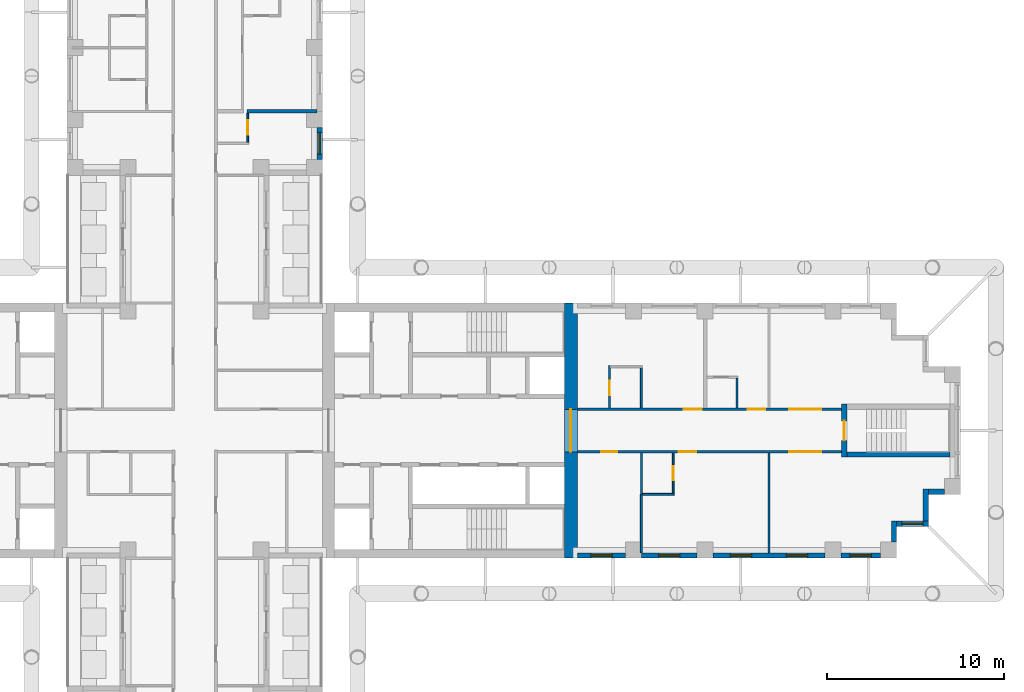
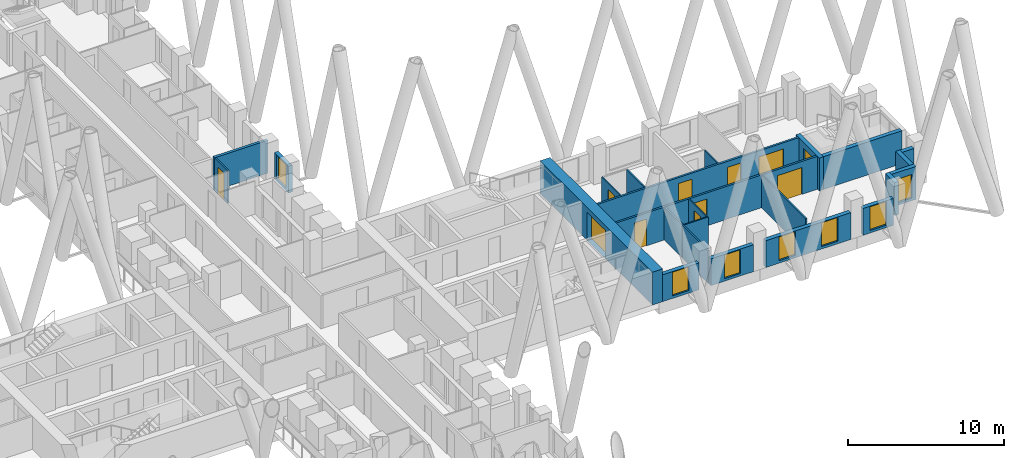
# One storey, part 10 of 17: 24 walls, 11 doors, 7 windows, 18 openings.
"""IFC4 building model written with IfcOpenShell, lengths in metres."""

from ifc_helpers import new_model, si_unit, direction, frame, frame_2d, origin, place, context, subcontext, project, spatial, rectangle, extrude, material, layer, layer_set, type_object, element, fill, save


model = new_model("IFC4")

# Units and contexts
model_context = context("Model", 3, precision=1e-05, world=origin(), true_north=direction((0.0, 1.0)))
body_context = subcontext(model_context, "Body", "Model", "MODEL_VIEW")
ifc_project = project(units=[si_unit("LENGTHUNIT", "METRE"), si_unit("AREAUNIT", "SQUARE_METRE"), si_unit("VOLUMEUNIT", "CUBIC_METRE"), si_unit("PLANEANGLEUNIT", "RADIAN"), si_unit("MASSUNIT", "GRAM", prefix="KILO")], contexts=[model_context])

# Site, building, storey
site_placement = place(None, origin())
site = spatial("IfcSite", under=ifc_project, at=site_placement, CompositionType="ELEMENT")
building_placement = place(site_placement, origin())
building = spatial("IfcBuilding", under=site, at=building_placement, Name="Fustian Cross Tower", CompositionType="ELEMENT")
storey_placement = place(building_placement, frame((0.0, 0.0, 32.699951171875)))
storey = spatial("IfcBuildingStorey", under=building, at=storey_placement, Name="L09", CompositionType="ELEMENT", Elevation=32.699951171875)

# Wall, openings, doors
ifc_material_1 = material(Name="Plasterboard on steel stud", Category="steel")
ifc_layer_1 = layer(ifc_material_1, 0.14990234375)
ifc_layer_set_1 = layer_set([ifc_layer_1], Name="Plasterboard on steel stud")
wall_type_1 = type_object("IfcWallType", Name="COMPARTMENT WALL 150 EI 60", PredefinedType="PARTITIONING", material=ifc_layer_set_1)
wall_1_placement = place(storey_placement, frame((21.60009765625, -1.199951171875, 0.0), z_axis=(0.0, 0.0, 1.0), x_axis=(1.0, 0.0, 0.0)))
wall_1 = element("IfcWall", 1, at=wall_1_placement, inside=storey, type_object=wall_type_1, Name="Partition 88", PredefinedType="PARTITIONING", context=body_context, shape_type="SweptSolid", body=[
    extrude(rectangle(XDim=14.89990234375, YDim=0.14990234375, at=frame_2d((7.449951171875, 0.0))), origin(), (0.0, 0.0, 1.0), 2.574951171875),
])
opening_1_placement = place(wall_1_placement, frame((1.35009765625, 0.0, 0.0)))
opening_1 = element("IfcOpeningElement", 2, at=opening_1_placement, cuts=wall_1, Name="Opening D06015", PredefinedType="OPENING", context=body_context, shape_type="SweptSolid", body=[
    extrude(rectangle(XDim=0.89990234375, YDim=2.10009765625, at=frame_2d((0.449951171875, 1.050048828125))), frame((0.0, 0.0849609375, 0.0), z_axis=(0.0, -1.0, 0.0), x_axis=(1.0, 0.0, 0.0)), (0.0, 0.0, 1.0), 0.169921875),
])
opening_2_placement = place(wall_1_placement, frame((5.7099609375, 0.0, 0.0)))
opening_2 = element("IfcOpeningElement", 3, at=opening_2_placement, cuts=wall_1, Name="Opening D06017", PredefinedType="OPENING", context=body_context, shape_type="SweptSolid", body=[
    extrude(rectangle(XDim=1.0, YDim=2.10009765625, at=frame_2d((0.5, 1.050048828125))), frame((0.0, 0.0849609375, 0.0), z_axis=(0.0, -1.0, 0.0), x_axis=(1.0, 0.0, 0.0)), (0.0, 0.0, 1.0), 0.169921875),
])
opening_3_placement = place(wall_1_placement, frame((11.949951171875, 0.0, 0.0)))
opening_3 = element("IfcOpeningElement", 4, at=opening_3_placement, cuts=wall_1, Name="Opening D06018", PredefinedType="OPENING", context=body_context, shape_type="SweptSolid", body=[
    extrude(rectangle(XDim=1.800048828125, YDim=2.10009765625, at=frame_2d((0.89990234375, 1.050048828125))), frame((0.0, 0.0849609375, 0.0), z_axis=(0.0, -1.0, 0.0), x_axis=(1.0, 0.0, 0.0)), (0.0, 0.0, 1.0), 0.169921875),
])
ifc_material_2 = material(Name="Timber fire door set", Category="wood")
door_type_1 = type_object("IfcDoorType", Name="FIRE DOUBLE DOOR 1800 FD30S", OperationType="DOUBLE_DOOR_DOUBLE_SWING", PredefinedType="DOOR", material=ifc_material_2)
door_1_placement = place(opening_3_placement, origin())
door_1 = element("IfcDoor", 5, at=door_1_placement, inside=storey, type_object=door_type_1, Name="Door D06018", OperationType="DOUBLE_DOOR_DOUBLE_SWING", OverallHeight=2.10009765625, OverallWidth=1.800048828125, PredefinedType="DOOR", context=body_context, shape_type="SweptSolid", body=[
    extrude(rectangle(XDim=1.800048828125, YDim=2.10009765625, at=frame_2d((0.89990234375, 1.050048828125))), frame((0.0, 0.02490234375, 0.0), z_axis=(0.0, -1.0, 0.0), x_axis=(1.0, 0.0, 0.0)), (0.0, 0.0, 1.0), 0.050048828125),
])
fill(opening_3, door_1)
ifc_material_3 = material(Name="Timber fire door set", Category="wood")
door_type_2 = type_object("IfcDoorType", Name="FIRE SWING DOOR 1000 FD30S", OperationType="SINGLE_SWING_LEFT", PredefinedType="DOOR", material=ifc_material_3)
door_2_placement = place(opening_2_placement, frame((1.0, 0.0, 0.0), z_axis=(0.0, 0.0, 1.0), x_axis=(-1.0, 0.0, 0.0)))
door_2 = element("IfcDoor", 6, at=door_2_placement, inside=storey, type_object=door_type_2, Name="Door D06017", OperationType="SINGLE_SWING_RIGHT", OverallHeight=2.10009765625, OverallWidth=1.0, PredefinedType="DOOR", context=body_context, shape_type="SweptSolid", body=[
    extrude(rectangle(XDim=1.0, YDim=2.10009765625, at=frame_2d((0.5, 1.050048828125))), frame((0.0, 0.02490234375, 0.0), z_axis=(0.0, -1.0, 0.0), x_axis=(1.0, 0.0, 0.0)), (0.0, 0.0, 1.0), 0.050048828125),
])
fill(opening_2, door_2)
ifc_material_4 = material(Name="Timber fire door set", Category="wood")
door_type_3 = type_object("IfcDoorType", Name="FIRE SWING DOOR 900 FD30S", OperationType="SINGLE_SWING_LEFT", PredefinedType="DOOR", material=ifc_material_4)
door_3_placement = place(opening_1_placement, frame((0.89990234375, 0.0, 0.0), z_axis=(0.0, 0.0, 1.0), x_axis=(-1.0, 0.0, 0.0)))
door_3 = element("IfcDoor", 7, at=door_3_placement, inside=storey, type_object=door_type_3, Name="Door D06015", OperationType="SINGLE_SWING_RIGHT", OverallHeight=2.10009765625, OverallWidth=0.89990234375, PredefinedType="DOOR", context=body_context, shape_type="SweptSolid", body=[
    extrude(rectangle(XDim=0.89990234375, YDim=2.10009765625, at=frame_2d((0.449951171875, 1.050048828125))), frame((0.0, 0.02490234375, 0.0), z_axis=(0.0, -1.0, 0.0), x_axis=(1.0, 0.0, 0.0)), (0.0, 0.0, 1.0), 0.050048828125),
])
fill(opening_1, door_3)

wall_2_placement = place(storey_placement, frame((21.60009765625, 1.199951171875, 0.0), z_axis=(0.0, 0.0, 1.0), x_axis=(1.0, 0.0, 0.0)))
wall_2 = element("IfcWall", 8, at=wall_2_placement, inside=storey, type_object=wall_type_1, Name="Partition 89", PredefinedType="PARTITIONING", context=body_context, shape_type="SweptSolid", body=[
    extrude(rectangle(XDim=14.89990234375, YDim=0.14990234375, at=frame_2d((7.449951171875, 0.0))), origin(), (0.0, 0.0, 1.0), 2.574951171875),
])
opening_4_placement = place(wall_2_placement, frame((6.0, 0.0, 0.0)))
opening_4 = element("IfcOpeningElement", 9, at=opening_4_placement, cuts=wall_2, Name="Opening D06011", PredefinedType="OPENING", context=body_context, shape_type="SweptSolid", body=[
    extrude(rectangle(XDim=1.0, YDim=2.10009765625, at=frame_2d((0.5, 1.050048828125))), frame((0.0, 0.0849609375, 0.0), z_axis=(0.0, -1.0, 0.0), x_axis=(1.0, 0.0, 0.0)), (0.0, 0.0, 1.0), 0.169921875),
])
opening_5_placement = place(wall_2_placement, frame((9.60009765625, 0.0, 0.0)))
opening_5 = element("IfcOpeningElement", 10, at=opening_5_placement, cuts=wall_2, Name="Opening D06013", PredefinedType="OPENING", context=body_context, shape_type="SweptSolid", body=[
    extrude(rectangle(XDim=1.0, YDim=2.10009765625, at=frame_2d((0.5, 1.050048828125))), frame((0.0, 0.0849609375, 0.0), z_axis=(0.0, -1.0, 0.0), x_axis=(1.0, 0.0, 0.0)), (0.0, 0.0, 1.0), 0.169921875),
])
opening_6_placement = place(wall_2_placement, frame((11.949951171875, 0.0, 0.0)))
opening_6 = element("IfcOpeningElement", 11, at=opening_6_placement, cuts=wall_2, Name="Opening D06014", PredefinedType="OPENING", context=body_context, shape_type="SweptSolid", body=[
    extrude(rectangle(XDim=1.800048828125, YDim=2.10009765625, at=frame_2d((0.89990234375, 1.050048828125))), frame((0.0, 0.0849609375, 0.0), z_axis=(0.0, -1.0, 0.0), x_axis=(1.0, 0.0, 0.0)), (0.0, 0.0, 1.0), 0.169921875),
])
door_4_placement = place(opening_6_placement, frame((1.800048828125, 0.0, 0.0), z_axis=(0.0, 0.0, 1.0), x_axis=(-1.0, 0.0, 0.0)))
door_4 = element("IfcDoor", 12, at=door_4_placement, inside=storey, type_object=door_type_1, Name="Door D06014", OperationType="DOUBLE_DOOR_DOUBLE_SWING", OverallHeight=2.10009765625, OverallWidth=1.800048828125, PredefinedType="DOOR", context=body_context, shape_type="SweptSolid", body=[
    extrude(rectangle(XDim=1.800048828125, YDim=2.10009765625, at=frame_2d((0.89990234375, 1.050048828125))), frame((0.0, 0.02490234375, 0.0), z_axis=(0.0, -1.0, 0.0), x_axis=(1.0, 0.0, 0.0)), (0.0, 0.0, 1.0), 0.050048828125),
])
fill(opening_6, door_4)
door_5_placement = place(opening_4_placement, origin())
door_5 = element("IfcDoor", 13, at=door_5_placement, inside=storey, type_object=door_type_2, Name="Door D06011", OperationType="SINGLE_SWING_RIGHT", OverallHeight=2.10009765625, OverallWidth=1.0, PredefinedType="DOOR", context=body_context, shape_type="SweptSolid", body=[
    extrude(rectangle(XDim=1.0, YDim=2.10009765625, at=frame_2d((0.5, 1.050048828125))), frame((0.0, 0.02490234375, 0.0), z_axis=(0.0, -1.0, 0.0), x_axis=(1.0, 0.0, 0.0)), (0.0, 0.0, 1.0), 0.050048828125),
])
fill(opening_4, door_5)
door_6_placement = place(opening_5_placement, origin())
door_6 = element("IfcDoor", 14, at=door_6_placement, inside=storey, type_object=door_type_2, Name="Door D06013", OperationType="SINGLE_SWING_RIGHT", OverallHeight=2.10009765625, OverallWidth=1.0, PredefinedType="DOOR", context=body_context, shape_type="SweptSolid", body=[
    extrude(rectangle(XDim=1.0, YDim=2.10009765625, at=frame_2d((0.5, 1.050048828125))), frame((0.0, 0.02490234375, 0.0), z_axis=(0.0, -1.0, 0.0), x_axis=(1.0, 0.0, 0.0)), (0.0, 0.0, 1.0), 0.050048828125),
])
fill(opening_5, door_6)

# Wall, opening, door
ifc_material_5 = material(Name="Concrete C80/95", Category="concrete")
ifc_layer_2 = layer(ifc_material_5, 0.75)
ifc_layer_set_2 = layer_set([ifc_layer_2], Name="Concrete C80/95")
wall_type_2 = type_object("IfcWallType", Name="CORE END WALL 750 C80/95", PredefinedType="SHEAR", material=ifc_layer_set_2)
wall_3_placement = place(storey_placement, frame((21.22509765625, -7.199951171875, 0.0), z_axis=(0.0, 0.0, 1.0), x_axis=(0.0, 1.0, 0.0)))
wall_3 = element("IfcWall", 15, at=wall_3_placement, inside=storey, type_object=wall_type_2, Name="Core end wall", PredefinedType="SHEAR", context=body_context, shape_type="SweptSolid", body=[
    extrude(rectangle(XDim=14.39990234375, YDim=0.75, at=frame_2d((7.199951171875, 0.0))), origin(), (0.0, 0.0, 1.0), 2.574951171875),
])
opening_7_placement = place(wall_3_placement, frame((6.0, 0.0, 0.0)))
opening_7 = element("IfcOpeningElement", 16, at=opening_7_placement, cuts=wall_3, Name="Opening CD-06-13", PredefinedType="OPENING", context=body_context, shape_type="SweptSolid", body=[
    extrude(rectangle(XDim=2.39990234375, YDim=2.199951171875, at=frame_2d((1.199951171875, 1.10009765625))), frame((0.0, 0.385009765625, 0.0), z_axis=(0.0, -1.0, 0.0), x_axis=(1.0, 0.0, 0.0)), (0.0, 0.0, 1.0), 0.77001953125),
])
ifc_material_6 = material(Name="Steel", Category="steel")
door_type_4 = type_object("IfcDoorType", Name="FIRE DOOR FD30S DOUBLE 2400X2200", OperationType="DOUBLE_DOOR_DOUBLE_SWING", PredefinedType="DOOR", material=ifc_material_6)
door_7_placement = place(opening_7_placement, origin())
door_7 = element("IfcDoor", 17, at=door_7_placement, inside=storey, type_object=door_type_4, Name="Core door CD-06-13", OperationType="DOUBLE_DOOR_DOUBLE_SWING", OverallHeight=2.199951171875, OverallWidth=2.39990234375, PredefinedType="DOOR", context=body_context, shape_type="SweptSolid", body=[
    extrude(rectangle(XDim=2.39990234375, YDim=2.199951171875, at=frame_2d((1.199951171875, 1.10009765625))), frame((0.0, 0.02490234375, 0.0), z_axis=(0.0, -1.0, 0.0), x_axis=(1.0, 0.0, 0.0)), (0.0, 0.0, 1.0), 0.050048828125),
])
fill(opening_7, door_7)

ifc_material_7 = material(Name="Plasterboard on steel stud", Category="steel")
ifc_layer_3 = layer(ifc_material_7, 0.10009765625)
ifc_layer_set_3 = layer_set([ifc_layer_3], Name="Plasterboard on steel stud")
wall_type_3 = type_object("IfcWallType", Name="PARTITION 100 STUD", PredefinedType="PARTITIONING", material=ifc_layer_set_3)
wall_4_placement = place(storey_placement, frame((3.0, 16.25, 0.0), z_axis=(0.0, 0.0, 1.0), x_axis=(0.0, 1.0, 0.0)))
wall_4 = element("IfcWall", 18, at=wall_4_placement, inside=storey, type_object=wall_type_3, Name="Partition 76", PredefinedType="PARTITIONING", context=body_context, shape_type="SweptSolid", body=[
    extrude(rectangle(XDim=1.64990234375, YDim=0.10009765625, at=frame_2d((0.824951171875, 0.0))), origin(), (0.0, 0.0, 1.0), 2.574951171875),
])
opening_8_placement = place(wall_4_placement, frame((0.449951171875, 0.0, 0.0)))
opening_8 = element("IfcOpeningElement", 19, at=opening_8_placement, cuts=wall_4, Name="Opening D06033", PredefinedType="OPENING", context=body_context, shape_type="SweptSolid", body=[
    extrude(rectangle(XDim=0.800048828125, YDim=2.10009765625, at=frame_2d((0.39990234375, 1.050048828125))), frame((0.0, 0.06005859375, 0.0), z_axis=(0.0, -1.0, 0.0), x_axis=(1.0, 0.0, 0.0)), (0.0, 0.0, 1.0), 0.1201171875),
])
ifc_material_8 = material(Name="Painted timber", Category="wood")
door_type_5 = type_object("IfcDoorType", Name="SWING DOOR 800", OperationType="SINGLE_SWING_LEFT", PredefinedType="DOOR", material=ifc_material_8)
door_8_placement = place(opening_8_placement, origin())
door_8 = element("IfcDoor", 20, at=door_8_placement, inside=storey, type_object=door_type_5, Name="Door D06033", OperationType="SINGLE_SWING_RIGHT", OverallHeight=2.10009765625, OverallWidth=0.800048828125, PredefinedType="DOOR", context=body_context, shape_type="SweptSolid", body=[
    extrude(rectangle(XDim=0.800048828125, YDim=2.10009765625, at=frame_2d((0.39990234375, 1.050048828125))), frame((0.0, 0.02490234375, 0.0), z_axis=(0.0, -1.0, 0.0), x_axis=(1.0, 0.0, 0.0)), (0.0, 0.0, 1.0), 0.050048828125),
])
fill(opening_8, door_8)

wall_5_placement = place(storey_placement, frame((23.39990234375, 1.27490234375, 0.0), z_axis=(0.0, 0.0, 1.0), x_axis=(0.0, 1.0, 0.0)))
wall_5 = element("IfcWall", 21, at=wall_5_placement, inside=storey, type_object=wall_type_3, Name="Partition 90", PredefinedType="PARTITIONING", context=body_context, shape_type="SweptSolid", body=[
    extrude(rectangle(XDim=2.375, YDim=0.10009765625, at=frame_2d((1.1875, 0.0))), origin(), (0.0, 0.0, 1.0), 2.574951171875),
])
opening_9_placement = place(wall_5_placement, frame((0.72509765625, 0.0, 0.0)))
opening_9 = element("IfcOpeningElement", 22, at=opening_9_placement, cuts=wall_5, Name="Opening D06010", PredefinedType="OPENING", context=body_context, shape_type="SweptSolid", body=[
    extrude(rectangle(XDim=0.800048828125, YDim=2.10009765625, at=frame_2d((0.39990234375, 1.050048828125))), frame((0.0, 0.06005859375, 0.0), z_axis=(0.0, -1.0, 0.0), x_axis=(1.0, 0.0, 0.0)), (0.0, 0.0, 1.0), 0.1201171875),
])
door_9_placement = place(opening_9_placement, frame((0.800048828125, 0.0, 0.0), z_axis=(0.0, 0.0, 1.0), x_axis=(-1.0, 0.0, 0.0)))
door_9 = element("IfcDoor", 23, at=door_9_placement, inside=storey, type_object=door_type_5, Name="Door D06010", OperationType="SINGLE_SWING_RIGHT", OverallHeight=2.10009765625, OverallWidth=0.800048828125, PredefinedType="DOOR", context=body_context, shape_type="SweptSolid", body=[
    extrude(rectangle(XDim=0.800048828125, YDim=2.10009765625, at=frame_2d((0.39990234375, 1.050048828125))), frame((0.0, 0.02490234375, 0.0), z_axis=(0.0, -1.0, 0.0), x_axis=(1.0, 0.0, 0.0)), (0.0, 0.0, 1.0), 0.050048828125),
])
fill(opening_9, door_9)

# Walls
wall_6_placement = place(storey_placement, frame((25.199951171875, -6.89990234375, 0.0), z_axis=(0.0, 0.0, 1.0), x_axis=(0.0, 1.0, 0.0)))
element("IfcWall", 24, at=wall_6_placement, inside=storey, type_object=wall_type_3, Name="Partition 92", PredefinedType="PARTITIONING", context=body_context, shape_type="SweptSolid", body=[
    extrude(rectangle(XDim=3.2998046875, YDim=0.10009765625, at=frame_2d((1.64990234375, 0.0))), origin(), (0.0, 0.0, 1.0), 2.574951171875),
])
wall_7_placement = place(storey_placement, frame((25.262451171875, -3.60009765625, 0.0), z_axis=(0.0, 0.0, 1.0), x_axis=(1.0, 0.0, 0.0)))
element("IfcWall", 25, at=wall_7_placement, inside=storey, type_object=wall_type_3, Name="Partition 94", PredefinedType="PARTITIONING", context=body_context, shape_type="SweptSolid", body=[
    extrude(rectangle(XDim=1.78759765625, YDim=0.10009765625, at=frame_2d((0.893798828125, 0.0))), origin(), (0.0, 0.0, 1.0), 2.574951171875),
])
wall_8_placement = place(storey_placement, frame((25.199951171875, 1.27490234375, 0.0), z_axis=(0.0, 0.0, 1.0), x_axis=(0.0, 1.0, 0.0)))
element("IfcWall", 26, at=wall_8_placement, inside=storey, type_object=wall_type_3, Name="Partition 95", PredefinedType="PARTITIONING", context=body_context, shape_type="SweptSolid", body=[
    extrude(rectangle(XDim=2.275146484375, YDim=0.10009765625, at=frame_2d((1.1376953125, 0.0))), origin(), (0.0, 0.0, 1.0), 2.574951171875),
])

# Wall, opening, door
wall_9_placement = place(storey_placement, frame((27.0, -3.550048828125, 0.0), z_axis=(0.0, 0.0, 1.0), x_axis=(0.0, 1.0, 0.0)))
wall_9 = element("IfcWall", 27, at=wall_9_placement, inside=storey, type_object=wall_type_3, Name="Partition 96", PredefinedType="PARTITIONING", context=body_context, shape_type="SweptSolid", body=[
    extrude(rectangle(XDim=2.275146484375, YDim=0.10009765625, at=frame_2d((1.1376953125, 0.0))), origin(), (0.0, 0.0, 1.0), 2.574951171875),
])
opening_10_placement = place(wall_9_placement, frame((0.75, 0.0, 0.0)))
opening_10 = element("IfcOpeningElement", 28, at=opening_10_placement, cuts=wall_9, Name="Opening D06016", PredefinedType="OPENING", context=body_context, shape_type="SweptSolid", body=[
    extrude(rectangle(XDim=0.800048828125, YDim=2.10009765625, at=frame_2d((0.39990234375, 1.050048828125))), frame((0.0, 0.06005859375, 0.0), z_axis=(0.0, -1.0, 0.0), x_axis=(1.0, 0.0, 0.0)), (0.0, 0.0, 1.0), 0.1201171875),
])
door_10_placement = place(opening_10_placement, origin())
door_10 = element("IfcDoor", 29, at=door_10_placement, inside=storey, type_object=door_type_5, Name="Door D06016", OperationType="SINGLE_SWING_LEFT", OverallHeight=2.10009765625, OverallWidth=0.800048828125, PredefinedType="DOOR", context=body_context, shape_type="SweptSolid", body=[
    extrude(rectangle(XDim=0.800048828125, YDim=2.10009765625, at=frame_2d((0.39990234375, 1.050048828125))), frame((0.0, 0.02490234375, 0.0), z_axis=(0.0, -1.0, 0.0), x_axis=(1.0, 0.0, 0.0)), (0.0, 0.0, 1.0), 0.050048828125),
])
fill(opening_10, door_10)

# Walls
wall_10_placement = place(storey_placement, frame((30.60009765625, 1.27490234375, 0.0), z_axis=(0.0, 0.0, 1.0), x_axis=(0.0, 1.0, 0.0)))
element("IfcWall", 30, at=wall_10_placement, inside=storey, type_object=wall_type_3, Name="Partition 99", PredefinedType="PARTITIONING", context=body_context, shape_type="SweptSolid", body=[
    extrude(rectangle(XDim=1.675048828125, YDim=0.10009765625, at=frame_2d((0.83740234375, 0.0))), origin(), (0.0, 0.0, 1.0), 2.574951171875),
])
wall_11_placement = place(storey_placement, frame((32.39990234375, -6.89990234375, 0.0), z_axis=(0.0, 0.0, 1.0), x_axis=(0.0, 1.0, 0.0)))
element("IfcWall", 31, at=wall_11_placement, inside=storey, type_object=wall_type_3, Name="Partition 100", PredefinedType="PARTITIONING", context=body_context, shape_type="SweptSolid", body=[
    extrude(rectangle(XDim=5.625, YDim=0.10009765625, at=frame_2d((2.8125, 0.0))), origin(), (0.0, 0.0, 1.0), 2.574951171875),
])
ifc_material_9 = material(Name="Plasterboard on steel stud", Category="steel")
ifc_layer_4 = layer(ifc_material_9, 0.199951171875)
ifc_layer_set_4 = layer_set([ifc_layer_4], Name="Plasterboard on steel stud")
wall_type_4 = type_object("IfcWallType", Name="PARTY WALL 200 EI 60", PredefinedType="PARTITIONING", material=ifc_layer_set_4)
wall_12_placement = place(storey_placement, frame((2.949951171875, 18.0, 0.0), z_axis=(0.0, 0.0, 1.0), x_axis=(1.0, 0.0, 0.0)))
element("IfcWall", 32, at=wall_12_placement, inside=storey, type_object=wall_type_4, Name="Partition 77", PredefinedType="PARTITIONING", context=body_context, shape_type="SweptSolid", body=[
    extrude(rectangle(XDim=3.949951171875, YDim=0.199951171875, at=frame_2d((1.97509765625, 0.0))), origin(), (0.0, 0.0, 1.0), 2.574951171875),
])

# Wall, opening, door
ifc_material_10 = material(Name="Concrete C50/60", Category="concrete")
ifc_layer_5 = layer(ifc_material_10, 0.300048828125)
ifc_layer_set_5 = layer_set([ifc_layer_5], Name="Concrete C50/60")
wall_type_5 = type_object("IfcWallType", Name="STAIR ENCLOSURE WALL 300 C50/60", PredefinedType="SHEAR", material=ifc_layer_set_5)
wall_13_placement = place(storey_placement, frame((36.64990234375, -1.5, 0.0), z_axis=(0.0, 0.0, 1.0), x_axis=(0.0, 1.0, 0.0)))
wall_13 = element("IfcWall", 33, at=wall_13_placement, inside=storey, type_object=wall_type_5, Name="Stair enclosure wall", PredefinedType="SHEAR", context=body_context, shape_type="SweptSolid", body=[
    extrude(rectangle(XDim=3.0, YDim=0.300048828125, at=frame_2d((1.5, 0.0))), origin(), (0.0, 0.0, 1.0), 2.574951171875),
])
opening_11_placement = place(wall_13_placement, frame((0.949951171875, 0.0, 0.0)))
opening_11 = element("IfcOpeningElement", 34, at=opening_11_placement, cuts=wall_13, Name="Opening CD-06-33", PredefinedType="OPENING", context=body_context, shape_type="SweptSolid", body=[
    extrude(rectangle(XDim=1.10009765625, YDim=2.10009765625, at=frame_2d((0.550048828125, 1.050048828125))), frame((0.0, 0.159912109375, 0.0), z_axis=(0.0, -1.0, 0.0), x_axis=(1.0, 0.0, 0.0)), (0.0, 0.0, 1.0), 0.320068359375),
])
ifc_material_11 = material(Name="Steel", Category="steel")
door_type_6 = type_object("IfcDoorType", Name="FIRE DOOR FD60S 1100X2100", OperationType="SINGLE_SWING_LEFT", PredefinedType="DOOR", material=ifc_material_11)
door_11_placement = place(opening_11_placement, frame((1.10009765625, 0.0, 0.0), z_axis=(0.0, 0.0, 1.0), x_axis=(-1.0, 0.0, 0.0)))
door_11 = element("IfcDoor", 35, at=door_11_placement, inside=storey, type_object=door_type_6, Name="Core door CD-06-33", OperationType="SINGLE_SWING_RIGHT", OverallHeight=2.10009765625, OverallWidth=1.10009765625, PredefinedType="DOOR", context=body_context, shape_type="SweptSolid", body=[
    extrude(rectangle(XDim=1.10009765625, YDim=2.10009765625, at=frame_2d((0.550048828125, 1.050048828125))), frame((0.0, 0.02490234375, 0.0), z_axis=(0.0, -1.0, 0.0), x_axis=(1.0, 0.0, 0.0)), (0.0, 0.0, 1.0), 0.050048828125),
])
fill(opening_11, door_11)

# Walls
wall_14_placement = place(storey_placement, frame((36.800048828125, -1.35009765625, 0.0), z_axis=(0.0, 0.0, 1.0), x_axis=(1.0, 0.0, 0.0)))
element("IfcWall", 36, at=wall_14_placement, inside=storey, type_object=wall_type_5, Name="Stair enclosure wall", PredefinedType="SHEAR", context=body_context, shape_type="SweptSolid", body=[
    extrude(rectangle(XDim=5.800048828125, YDim=0.300048828125, at=frame_2d((2.89990234375, 0.0))), origin(), (0.0, 0.0, 1.0), 2.574951171875),
])
ifc_material_12 = material(Name="Plasterboard on steel stud", Category="steel")
ifc_layer_6 = layer(ifc_material_12, 0.125)
ifc_layer_set_6 = layer_set([ifc_layer_6], Name="Plasterboard on steel stud")
wall_type_6 = type_object("IfcWallType", Name="WET WALL 125 STUD", PredefinedType="PARTITIONING", material=ifc_layer_set_6)
wall_15_placement = place(storey_placement, frame((25.199951171875, -3.60009765625, 0.0), z_axis=(0.0, 0.0, 1.0), x_axis=(0.0, 1.0, 0.0)))
element("IfcWall", 37, at=wall_15_placement, inside=storey, type_object=wall_type_6, Name="Partition 93", PredefinedType="PARTITIONING", context=body_context, shape_type="SweptSolid", body=[
    extrude(rectangle(XDim=2.3251953125, YDim=0.125, at=frame_2d((1.16259765625, 0.0))), origin(), (0.0, 0.0, 1.0), 2.574951171875),
])

# Wall, opening, window
ifc_material_13 = material(Name="Dark aluminium cladding on insulated backing wall", Category="aluminium")
ifc_layer_7 = layer(ifc_material_13, 0.300048828125)
ifc_layer_set_7 = layer_set([ifc_layer_7], Name="Dark aluminium cladding on insulated backing wall")
wall_type_7 = type_object("IfcWallType", Name="XW1 EXTERNAL WALL 300", PredefinedType="SOLIDWALL", material=ifc_layer_set_7)
wall_16_placement = place(storey_placement, frame((21.60009765625, -7.050048828125, 0.0), z_axis=(0.0, 0.0, 1.0), x_axis=(1.0, 0.0, 0.0)))
wall_16 = element("IfcWall", 38, at=wall_16_placement, inside=storey, type_object=wall_type_7, Name="External wall", PredefinedType="SOLIDWALL", context=body_context, shape_type="SweptSolid", body=[
    extrude(rectangle(XDim=2.699951171875, YDim=0.300048828125, at=frame_2d((1.35009765625, 0.0))), origin(), (0.0, 0.0, 1.0), 2.10009765625),
])
opening_12_placement = place(wall_16_placement, frame((0.75, 0.0, 0.199951171875)))
opening_12 = element("IfcOpeningElement", 39, at=opening_12_placement, cuts=wall_16, Name="Opening WN3", PredefinedType="OPENING", context=body_context, shape_type="SweptSolid", body=[
    extrude(rectangle(XDim=1.199951171875, YDim=1.85009765625, at=frame_2d((0.60009765625, 0.925048828125))), frame((0.0, 0.159912109375, 0.0), z_axis=(0.0, -1.0, 0.0), x_axis=(1.0, 0.0, 0.0)), (0.0, 0.0, 1.0), 0.320068359375),
])
ifc_material_14 = material(Name="Dark anodised aluminium and double glazing", Category="aluminium")
window_type = type_object("IfcWindowType", Name="WN3 WINDOW 1200X1850", PartitioningType="SINGLE_PANEL", PredefinedType="WINDOW", material=ifc_material_14)
window_1_placement = place(opening_12_placement, origin())
window_1 = element("IfcWindow", 40, at=window_1_placement, inside=storey, type_object=window_type, Name="Window", OverallHeight=1.85009765625, OverallWidth=1.199951171875, PartitioningType="SINGLE_PANEL", PredefinedType="WINDOW", context=body_context, shape_type="SweptSolid", body=[
    extrude(rectangle(XDim=1.199951171875, YDim=1.85009765625, at=frame_2d((0.60009765625, 0.925048828125))), frame((0.0, 0.030029296875, 0.0), z_axis=(0.0, -1.0, 0.0), x_axis=(1.0, 0.0, 0.0)), (0.0, 0.0, 1.0), 0.06005859375),
])
fill(opening_12, window_1)

wall_17_placement = place(storey_placement, frame((25.199951171875, -7.050048828125, 0.0), z_axis=(0.0, 0.0, 1.0), x_axis=(1.0, 0.0, 0.0)))
wall_17 = element("IfcWall", 41, at=wall_17_placement, inside=storey, type_object=wall_type_7, Name="External wall", PredefinedType="SOLIDWALL", context=body_context, shape_type="SweptSolid", body=[
    extrude(rectangle(XDim=3.150146484375, YDim=0.300048828125, at=frame_2d((1.5751953125, 0.0))), origin(), (0.0, 0.0, 1.0), 2.10009765625),
])
opening_13_placement = place(wall_17_placement, frame((0.97509765625, 0.0, 0.199951171875)))
opening_13 = element("IfcOpeningElement", 42, at=opening_13_placement, cuts=wall_17, Name="Opening WN3", PredefinedType="OPENING", context=body_context, shape_type="SweptSolid", body=[
    extrude(rectangle(XDim=1.199951171875, YDim=1.85009765625, at=frame_2d((0.60009765625, 0.925048828125))), frame((0.0, 0.159912109375, 0.0), z_axis=(0.0, -1.0, 0.0), x_axis=(1.0, 0.0, 0.0)), (0.0, 0.0, 1.0), 0.320068359375),
])
window_2_placement = place(opening_13_placement, origin())
window_2 = element("IfcWindow", 43, at=window_2_placement, inside=storey, type_object=window_type, Name="Window", OverallHeight=1.85009765625, OverallWidth=1.199951171875, PartitioningType="SINGLE_PANEL", PredefinedType="WINDOW", context=body_context, shape_type="SweptSolid", body=[
    extrude(rectangle(XDim=1.199951171875, YDim=1.85009765625, at=frame_2d((0.60009765625, 0.925048828125))), frame((0.0, 0.030029296875, 0.0), z_axis=(0.0, -1.0, 0.0), x_axis=(1.0, 0.0, 0.0)), (0.0, 0.0, 1.0), 0.06005859375),
])
fill(opening_13, window_2)

# Wall, openings, windows
wall_18_placement = place(storey_placement, frame((29.25, -7.050048828125, 0.0), z_axis=(0.0, 0.0, 1.0), x_axis=(1.0, 0.0, 0.0)))
wall_18 = element("IfcWall", 44, at=wall_18_placement, inside=storey, type_object=wall_type_7, Name="External wall", PredefinedType="SOLIDWALL", context=body_context, shape_type="SweptSolid", body=[
    extrude(rectangle(XDim=6.300048828125, YDim=0.300048828125, at=frame_2d((3.14990234375, 0.0))), origin(), (0.0, 0.0, 1.0), 2.10009765625),
])
opening_14_placement = place(wall_18_placement, frame((0.97509765625, 0.0, 0.199951171875)))
opening_14 = element("IfcOpeningElement", 45, at=opening_14_placement, cuts=wall_18, Name="Opening WN3", PredefinedType="OPENING", context=body_context, shape_type="SweptSolid", body=[
    extrude(rectangle(XDim=1.199951171875, YDim=1.85009765625, at=frame_2d((0.60009765625, 0.925048828125))), frame((0.0, 0.159912109375, 0.0), z_axis=(0.0, -1.0, 0.0), x_axis=(1.0, 0.0, 0.0)), (0.0, 0.0, 1.0), 0.320068359375),
])
opening_15_placement = place(wall_18_placement, frame((4.125, 0.0, 0.199951171875)))
opening_15 = element("IfcOpeningElement", 46, at=opening_15_placement, cuts=wall_18, Name="Opening WN3", PredefinedType="OPENING", context=body_context, shape_type="SweptSolid", body=[
    extrude(rectangle(XDim=1.199951171875, YDim=1.85009765625, at=frame_2d((0.60009765625, 0.925048828125))), frame((0.0, 0.159912109375, 0.0), z_axis=(0.0, -1.0, 0.0), x_axis=(1.0, 0.0, 0.0)), (0.0, 0.0, 1.0), 0.320068359375),
])
window_3_placement = place(opening_14_placement, origin())
window_3 = element("IfcWindow", 47, at=window_3_placement, inside=storey, type_object=window_type, Name="Window", OverallHeight=1.85009765625, OverallWidth=1.199951171875, PartitioningType="SINGLE_PANEL", PredefinedType="WINDOW", context=body_context, shape_type="SweptSolid", body=[
    extrude(rectangle(XDim=1.199951171875, YDim=1.85009765625, at=frame_2d((0.60009765625, 0.925048828125))), frame((0.0, 0.030029296875, 0.0), z_axis=(0.0, -1.0, 0.0), x_axis=(1.0, 0.0, 0.0)), (0.0, 0.0, 1.0), 0.06005859375),
])
fill(opening_14, window_3)
window_4_placement = place(opening_15_placement, origin())
window_4 = element("IfcWindow", 48, at=window_4_placement, inside=storey, type_object=window_type, Name="Window", OverallHeight=1.85009765625, OverallWidth=1.199951171875, PartitioningType="SINGLE_PANEL", PredefinedType="WINDOW", context=body_context, shape_type="SweptSolid", body=[
    extrude(rectangle(XDim=1.199951171875, YDim=1.85009765625, at=frame_2d((0.60009765625, 0.925048828125))), frame((0.0, 0.030029296875, 0.0), z_axis=(0.0, -1.0, 0.0), x_axis=(1.0, 0.0, 0.0)), (0.0, 0.0, 1.0), 0.06005859375),
])
fill(opening_15, window_4)

# Wall, opening, window
wall_19_placement = place(storey_placement, frame((36.449951171875, -7.050048828125, 0.0), z_axis=(0.0, 0.0, 1.0), x_axis=(1.0, 0.0, 0.0)))
wall_19 = element("IfcWall", 49, at=wall_19_placement, inside=storey, type_object=wall_type_7, Name="External wall", PredefinedType="SOLIDWALL", context=body_context, shape_type="SweptSolid", body=[
    extrude(rectangle(XDim=2.25, YDim=0.300048828125, at=frame_2d((1.125, 0.0))), origin(), (0.0, 0.0, 1.0), 2.10009765625),
])
opening_16_placement = place(wall_19_placement, frame((0.52490234375, 0.0, 0.199951171875)))
opening_16 = element("IfcOpeningElement", 50, at=opening_16_placement, cuts=wall_19, Name="Opening WN3", PredefinedType="OPENING", context=body_context, shape_type="SweptSolid", body=[
    extrude(rectangle(XDim=1.199951171875, YDim=1.85009765625, at=frame_2d((0.60009765625, 0.925048828125))), frame((0.0, 0.159912109375, 0.0), z_axis=(0.0, -1.0, 0.0), x_axis=(1.0, 0.0, 0.0)), (0.0, 0.0, 1.0), 0.320068359375),
])
window_5_placement = place(opening_16_placement, origin())
window_5 = element("IfcWindow", 51, at=window_5_placement, inside=storey, type_object=window_type, Name="Window", OverallHeight=1.85009765625, OverallWidth=1.199951171875, PartitioningType="SINGLE_PANEL", PredefinedType="WINDOW", context=body_context, shape_type="SweptSolid", body=[
    extrude(rectangle(XDim=1.199951171875, YDim=1.85009765625, at=frame_2d((0.60009765625, 0.925048828125))), frame((0.0, 0.030029296875, 0.0), z_axis=(0.0, -1.0, 0.0), x_axis=(1.0, 0.0, 0.0)), (0.0, 0.0, 1.0), 0.06005859375),
])
fill(opening_16, window_5)

# Wall
wall_20_placement = place(storey_placement, frame((39.449951171875, -6.300048828125, 0.0), z_axis=(0.0, 0.0, 1.0), x_axis=(0.0, 1.0, 0.0)))
element("IfcWall", 52, at=wall_20_placement, inside=storey, type_object=wall_type_7, Name="External wall", PredefinedType="SOLIDWALL", context=body_context, shape_type="SweptSolid", body=[
    extrude(rectangle(XDim=1.199951171875, YDim=0.300048828125, at=frame_2d((0.60009765625, 0.0))), origin(), (0.0, 0.0, 1.0), 2.574951171875),
])

# Wall, opening, window
wall_21_placement = place(storey_placement, frame((39.60009765625, -5.25, 0.0), z_axis=(0.0, 0.0, 1.0), x_axis=(1.0, 0.0, 0.0)))
wall_21 = element("IfcWall", 53, at=wall_21_placement, inside=storey, type_object=wall_type_7, Name="External wall", PredefinedType="SOLIDWALL", context=body_context, shape_type="SweptSolid", body=[
    extrude(rectangle(XDim=1.7998046875, YDim=0.300048828125, at=frame_2d((0.89990234375, 0.0))), origin(), (0.0, 0.0, 1.0), 2.574951171875),
])
opening_17_placement = place(wall_21_placement, frame((0.300048828125, 0.0, 0.199951171875)))
opening_17 = element("IfcOpeningElement", 54, at=opening_17_placement, cuts=wall_21, Name="Opening WN3", PredefinedType="OPENING", context=body_context, shape_type="SweptSolid", body=[
    extrude(rectangle(XDim=1.199951171875, YDim=1.85009765625, at=frame_2d((0.60009765625, 0.925048828125))), frame((0.0, 0.159912109375, 0.0), z_axis=(0.0, -1.0, 0.0), x_axis=(1.0, 0.0, 0.0)), (0.0, 0.0, 1.0), 0.320068359375),
])
window_6_placement = place(opening_17_placement, origin())
window_6 = element("IfcWindow", 55, at=window_6_placement, inside=storey, type_object=window_type, Name="Window", OverallHeight=1.85009765625, OverallWidth=1.199951171875, PartitioningType="SINGLE_PANEL", PredefinedType="WINDOW", context=body_context, shape_type="SweptSolid", body=[
    extrude(rectangle(XDim=1.199951171875, YDim=1.85009765625, at=frame_2d((0.60009765625, 0.925048828125))), frame((0.0, 0.030029296875, 0.0), z_axis=(0.0, -1.0, 0.0), x_axis=(1.0, 0.0, 0.0)), (0.0, 0.0, 1.0), 0.06005859375),
])
fill(opening_17, window_6)

# Walls
wall_22_placement = place(storey_placement, frame((41.25, -5.10009765625, 0.0), z_axis=(0.0, 0.0, 1.0), x_axis=(0.0, 1.0, 0.0)))
element("IfcWall", 56, at=wall_22_placement, inside=storey, type_object=wall_type_7, Name="External wall", PredefinedType="SOLIDWALL", context=body_context, shape_type="SweptSolid", body=[
    extrude(rectangle(XDim=1.800048828125, YDim=0.300048828125, at=frame_2d((0.89990234375, 0.0))), origin(), (0.0, 0.0, 1.0), 2.574951171875),
])
wall_23_placement = place(storey_placement, frame((41.39990234375, -3.449951171875, 0.0), z_axis=(0.0, 0.0, 1.0), x_axis=(1.0, 0.0, 0.0)))
element("IfcWall", 57, at=wall_23_placement, inside=storey, type_object=wall_type_7, Name="External wall", PredefinedType="SOLIDWALL", context=body_context, shape_type="SweptSolid", body=[
    extrude(rectangle(XDim=0.900146484375, YDim=0.300048828125, at=frame_2d((0.4501953125, 0.0))), origin(), (0.0, 0.0, 1.0), 2.574951171875),
])

# Wall, opening, window
wall_24_placement = place(storey_placement, frame((7.050048828125, 15.300048828125, 0.0), z_axis=(0.0, 0.0, 1.0), x_axis=(0.0, 1.0, 0.0)))
wall_24 = element("IfcWall", 58, at=wall_24_placement, inside=storey, type_object=wall_type_7, Name="External wall", PredefinedType="SOLIDWALL", context=body_context, shape_type="SweptSolid", body=[
    extrude(rectangle(XDim=1.800048828125, YDim=0.300048828125, at=frame_2d((0.89990234375, 0.0))), origin(), (0.0, 0.0, 1.0), 2.10009765625),
])
opening_18_placement = place(wall_24_placement, frame((0.300048828125, 0.0, 0.199951171875)))
opening_18 = element("IfcOpeningElement", 59, at=opening_18_placement, cuts=wall_24, Name="Opening WN3", PredefinedType="OPENING", context=body_context, shape_type="SweptSolid", body=[
    extrude(rectangle(XDim=1.199951171875, YDim=1.85009765625, at=frame_2d((0.60009765625, 0.925048828125))), frame((0.0, 0.159912109375, 0.0), z_axis=(0.0, -1.0, 0.0), x_axis=(1.0, 0.0, 0.0)), (0.0, 0.0, 1.0), 0.320068359375),
])
window_7_placement = place(opening_18_placement, origin())
window_7 = element("IfcWindow", 60, at=window_7_placement, inside=storey, type_object=window_type, Name="Window", OverallHeight=1.85009765625, OverallWidth=1.199951171875, PartitioningType="SINGLE_PANEL", PredefinedType="WINDOW", context=body_context, shape_type="SweptSolid", body=[
    extrude(rectangle(XDim=1.199951171875, YDim=1.85009765625, at=frame_2d((0.60009765625, 0.925048828125))), frame((0.0, 0.030029296875, 0.0), z_axis=(0.0, -1.0, 0.0), x_axis=(1.0, 0.0, 0.0)), (0.0, 0.0, 1.0), 0.06005859375),
])
fill(opening_18, window_7)

save(model, "model.ifc")
